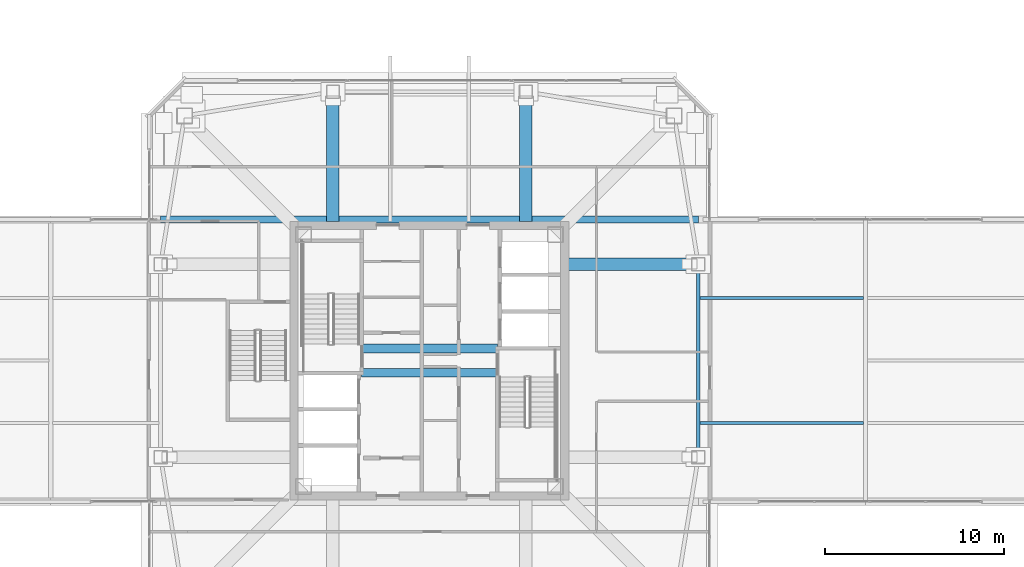
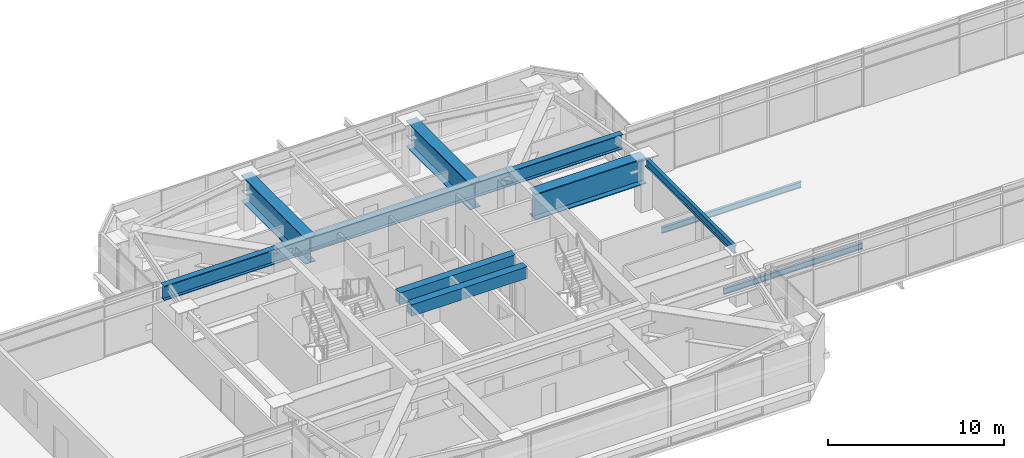
# One storey, part 14 of 51: 9 beams.
"""IFC4 building model written with IfcOpenShell, lengths in metres."""

import ifcopenshell
import ifcopenshell.guid

model = None  # the IFC model being written
_history = None  # IfcOwnerHistory: only IFC2X3 demands one
_inside = {}  # id of a spatial element -> (the spatial element, [elements in it])
_under = {}  # id of a project, library or spatial element -> (it, [spatial elements below it])
_declared = {}  # id of a project -> (the project, [libraries it declares])
_typed = {}  # id of a type object -> (the type object, [elements of that type])
_made_of = {}  # id of a material, layer set ... -> (it, [elements and type objects made of it])


def new_model(schema):
    """Start an empty IFC model of exactly this schema.

    Asked for "IFC4X3", IfcOpenShell would pick the latest addendum, in which some entities
    have other attributes; the version numbers below select the first issue.
    IFC2X3 requires an IfcOwnerHistory on every rooted entity: one is made here for all.
    """
    global model, _history
    if schema == "IFC4X3":
        model = ifcopenshell.file(schema_version=(4, 3, 0, 0))
    else:
        model = ifcopenshell.file(schema=schema)
    _inside.clear()
    _under.clear()
    _declared.clear()
    _typed.clear()
    _made_of.clear()
    _history = None
    if model.schema == "IFC2X3":
        org = make("IfcOrganization", Name="unknown")
        user = make(
            "IfcPersonAndOrganization",
            ThePerson=make("IfcPerson", FamilyName="unknown"),
            TheOrganization=org,
        )
        app = make(
            "IfcApplication",
            ApplicationDeveloper=org,
            Version="unknown",
            ApplicationFullName="unknown",
            ApplicationIdentifier="unknown",
        )
        _history = make(
            "IfcOwnerHistory",
            OwningUser=user,
            OwningApplication=app,
            ChangeAction="ADDED",
            CreationDate=0,
        )
    return model


def make(cls, **values):
    """One entity of the class cls with the attributes given. An attribute that is None is left unset."""
    return model.create_entity(
        cls, **{name: value for name, value in values.items() if value is not None}
    )


def rooted(cls, **values):
    """An entity with a GlobalId (a new one), such as an element, a storey or a relation."""
    return make(cls, GlobalId=ifcopenshell.guid.new(), OwnerHistory=_history, **values)


def si_unit(unit_type, name, prefix=None):
    """IfcSIUnit, for example si_unit("LENGTHUNIT", "METRE", prefix="MILLI")."""
    return make("IfcSIUnit", UnitType=unit_type, Prefix=prefix, Name=name)


def assignment(units):
    """IfcUnitAssignment: the units of a project."""
    return None if units is None else make("IfcUnitAssignment", Units=units)


def point(xyz):
    """IfcCartesianPoint."""
    return None if xyz is None else make("IfcCartesianPoint", Coordinates=xyz)


def direction(xyz):
    """IfcDirection."""
    return None if xyz is None else make("IfcDirection", DirectionRatios=xyz)


def frame(location, z_axis=None, x_axis=None):
    """IfcAxis2Placement3D, a coordinate frame: its origin and axes. An axis left out is left unset."""
    return make(
        "IfcAxis2Placement3D",
        Location=point(location),
        Axis=direction(z_axis),
        RefDirection=direction(x_axis),
    )


def frame_2d(location, x_axis=None):
    """IfcAxis2Placement2D, a coordinate frame in the plane: its origin and x axis."""
    return make(
        "IfcAxis2Placement2D", Location=point(location), RefDirection=direction(x_axis)
    )


def origin():
    """The frame at (0, 0, 0) with its axes left unset."""
    return frame((0.0, 0.0, 0.0))


def origin_2d():
    """The frame at (0, 0) in the plane with its x axis left unset."""
    return frame_2d((0.0, 0.0))


def place(relative_to, where):
    """IfcLocalPlacement: puts the frame where relative to a parent placement (None: the world)."""
    return make(
        "IfcLocalPlacement", PlacementRelTo=relative_to, RelativePlacement=where
    )


def context(
    kind, dimensions, precision=None, world=None, true_north=None, identifier=None
):
    """IfcGeometricRepresentationContext, for example the 3D "Model" context."""
    return make(
        "IfcGeometricRepresentationContext",
        ContextIdentifier=identifier,
        ContextType=kind,
        CoordinateSpaceDimension=dimensions,
        Precision=precision,
        WorldCoordinateSystem=world,
        TrueNorth=true_north,
    )


def subcontext(parent, identifier, kind, view, scale=None):
    """IfcGeometricRepresentationSubContext, for example "Body" below "Model"."""
    return make(
        "IfcGeometricRepresentationSubContext",
        ContextIdentifier=identifier,
        ContextType=kind,
        ParentContext=parent,
        TargetScale=scale,
        TargetView=view,
    )


def project(units=None, contexts=None):
    """IfcProject with its units and contexts."""
    return rooted(
        "IfcProject",
        Name="project",
        RepresentationContexts=contexts,
        UnitsInContext=assignment(units),
    )


def spatial(cls, under=None, at=None, **own):
    """A site, building, storey or space (cls), placed at a placement, below another one or the project."""
    s = rooted(cls, ObjectPlacement=at, **own)
    if under is not None:
        _under.setdefault(under.id(), (under, []))[1].append(s)
    return s


def profile(cls, at=None, kind="AREA", **sizes):
    """A parametric profile (cls). Its sizes go by their IFC names, for example OverallWidth=200.0."""
    return make(cls, ProfileType=kind, Position=at, **sizes)


def rectangle(**sizes):
    """IfcRectangleProfileDef."""
    return profile("IfcRectangleProfileDef", **sizes)


def i_section(**sizes):
    """IfcIShapeProfileDef."""
    return profile("IfcIShapeProfileDef", **sizes)


def extrude(swept, where, along, depth):
    """IfcExtrudedAreaSolid: the profile swept, set in the frame where, extruded along a direction by depth."""
    return make(
        "IfcExtrudedAreaSolid",
        SweptArea=swept,
        Position=where,
        ExtrudedDirection=direction(along),
        Depth=depth,
    )


def shape(context_of_items, identifier, shape_type, items):
    """IfcShapeRepresentation: the items that make up one representation, for example the "Body"."""
    return make(
        "IfcShapeRepresentation",
        ContextOfItems=context_of_items,
        RepresentationIdentifier=identifier,
        RepresentationType=shape_type,
        Items=items,
    )


def material(Name=None, Category=None):
    """IfcMaterial."""
    return make("IfcMaterial", Name=Name, Category=Category)


def material_profile(
    of_material, cross_section, Name=None, Category=None, Priority=None
):
    """IfcMaterialProfile: a cross section and its material."""
    return make(
        "IfcMaterialProfile",
        Name=Name,
        Material=of_material,
        Profile=cross_section,
        Priority=Priority,
        Category=Category,
    )


def profile_set(profiles, Name=None, composite=None):
    """IfcMaterialProfileSet."""
    return make(
        "IfcMaterialProfileSet",
        Name=Name,
        MaterialProfiles=profiles,
        CompositeProfile=composite,
    )


def made_of(thing, what):
    """Note that an element or type object is made of a material, layer set ...; save() writes the relation."""
    if what is not None:
        _made_of.setdefault(what.id(), (what, []))[1].append(thing)
    return thing


def type_object(cls, material=None, **own):
    """A type object (cls), such as IfcWallType, which elements share."""
    return made_of(rooted(cls, **own), material)


def element(
    cls,
    number,
    at=None,
    inside=None,
    cuts=None,
    type_object=None,
    material=None,
    context=None,
    identifier="Body",
    shape_type=None,
    held_by="IfcProductDefinitionShape",
    body=None,
    shapes=None,
    **own,
):
    """One element of the class cls, such as IfcWall. Its Tag is "e" and its number.

    at: its placement. inside: the storey or other place that contains it. cuts: it is an
    opening in that element (IfcRelVoidsElement). A single representation is given by context,
    identifier, shape_type and body (its items); several are given by shapes. held_by: the class
    of the entity that holds the representations. save() writes the other relations.
    """
    e = rooted(cls, Tag="e%d" % number, ObjectPlacement=at, **own)
    if body is not None:
        shapes = [shape(context, identifier, shape_type, body)]
    if shapes is not None:
        e.Representation = make(held_by, Representations=shapes)
    if inside is not None:
        _inside.setdefault(inside.id(), (inside, []))[1].append(e)
    if cuts is not None:
        rooted(
            "IfcRelVoidsElement", RelatingBuildingElement=cuts, RelatedOpeningElement=e
        )
    if type_object is not None:
        _typed.setdefault(type_object.id(), (type_object, []))[1].append(e)
    return made_of(e, material)


def aggregate(whole, parts):
    """IfcRelAggregates: a whole, such as a stair, and the parts it consists of."""
    return rooted("IfcRelAggregates", RelatingObject=whole, RelatedObjects=parts)


def save(model, path):
    """Write the relations noted so far, then the file.

    IfcRelAggregates (storeys below a building ...), IfcRelContainedInSpatialStructure (elements
    in a storey), IfcRelDefinesByType, IfcRelAssociatesMaterial and IfcRelDeclares: one each for
    every whole, place, type object, material and project.
    """
    for whole, parts in _under.values():
        aggregate(whole, parts)
    for where, things in _inside.values():
        rooted(
            "IfcRelContainedInSpatialStructure",
            RelatedElements=things,
            RelatingStructure=where,
        )
    for kind, things in _typed.values():
        rooted("IfcRelDefinesByType", RelatedObjects=things, RelatingType=kind)
    for what, things in _made_of.values():
        rooted("IfcRelAssociatesMaterial", RelatedObjects=things, RelatingMaterial=what)
    for by, libraries in _declared.values():
        rooted("IfcRelDeclares", RelatingContext=by, RelatedDefinitions=libraries)
    model.write(path)


model = new_model("IFC4")

# Units and contexts
model_context = context("Model", 3, precision=1e-05, world=origin(), true_north=direction((0.0, 1.0)))
body_context = subcontext(model_context, "Body", "Model", "MODEL_VIEW")
ifc_project = project(units=[si_unit("LENGTHUNIT", "METRE"), si_unit("AREAUNIT", "SQUARE_METRE"), si_unit("VOLUMEUNIT", "CUBIC_METRE"), si_unit("PLANEANGLEUNIT", "RADIAN"), si_unit("MASSUNIT", "GRAM", prefix="KILO")], contexts=[model_context])

# Site, building, storey
site_placement = place(None, origin())
site = spatial("IfcSite", under=ifc_project, at=site_placement, CompositionType="ELEMENT")
building_placement = place(site_placement, origin())
building = spatial("IfcBuilding", under=site, at=building_placement, Name="Tashvorn Skyway Center", CompositionType="ELEMENT")
storey_placement = place(building_placement, frame((0.0, 0.0, 259.39990234375)))
storey = spatial("IfcBuildingStorey", under=building, at=storey_placement, Name="L70", CompositionType="ELEMENT", Elevation=259.39990234375)

# Beams
ifc_material_1 = material(Name="Steel ASTM A572 Grade 50", Category="steel")
ifc_material_profile_1 = material_profile(ifc_material_1, i_section(OverallWidth=0.699951171875, OverallDepth=1.800048828125, WebThickness=0.031982421875, FlangeThickness=0.050048828125, at=origin_2d()), Name="PG1800x700")
ifc_profile_set_1 = profile_set([ifc_material_profile_1], Name="Steel ASTM A572 Grade 50")
beam_type_1 = type_object("IfcBeamType", Name="BM-BEAM-PG1800x700", PredefinedType="BEAM", material=ifc_profile_set_1)
for number, where, z_axis, x_axis, name in (
    (1, (57.050048828125, 37.39990234375, 2.800048828125), (-1.0, 0.0, 0.0), (0.0, -1.0, 0.0), "Tower 1 L70 Setback Transfer Girder FC-E2"),
    (2, (47.39990234375, 47.050048828125, 2.800048828125), (0.0, -1.0, 0.0), (1.0, 0.0, 0.0), "Tower 1 L70 Setback Transfer Girder FC-N1"),
    (3, (36.60009765625, 47.050048828125, 2.800048828125), (0.0, -1.0, 0.0), (1.0, 0.0, 0.0), "Tower 1 L70 Setback Transfer Girder FC-N2"),
):
    element("IfcBeam", number, at=place(storey_placement, frame(where, z_axis=z_axis, x_axis=x_axis)), inside=storey, type_object=beam_type_1, Name=name, PredefinedType="BEAM", context=body_context, shape_type="SweptSolid", body=[
        extrude(i_section(OverallWidth=0.699951171875, OverallDepth=1.800048828125, WebThickness=0.031982421875, FlangeThickness=0.050048828125, at=origin_2d()), origin(), (0.0, 0.0, 1.0), 7.27001953125),
    ])
ifc_material_2 = material(Name="Steel ASTM A913 Grade 65", Category="steel")
ifc_material_profile_2 = material_profile(ifc_material_2, i_section(OverallWidth=0.40087890625, OverallDepth=1.010986328125, WebThickness=0.023681640625, FlangeThickness=0.0419921875, at=origin_2d()), Name="W40X297")
ifc_profile_set_2 = profile_set([ifc_material_profile_2], Name="Steel ASTM A913 Grade 65")
beam_type_2 = type_object("IfcBeamType", Name="BM-BEAM-W40X297", PredefinedType="BEAM", material=ifc_profile_set_2)
beam_1_placement = place(storey_placement, frame((26.949951171875, 39.89990234375, 3.194580078125), z_axis=(1.0, 0.0, 0.0), x_axis=(0.0, 1.0, 0.0)))
element("IfcBeam", 4, at=beam_1_placement, inside=storey, type_object=beam_type_2, Name="Sky-Park Truss 2 Top Chord Panel 05", PredefinedType="BEAM", context=body_context, shape_type="SweptSolid", body=[
    extrude(i_section(OverallWidth=0.40087890625, OverallDepth=1.010986328125, WebThickness=0.023681640625, FlangeThickness=0.0419921875, at=origin_2d()), origin(), (0.0, 0.0, 1.0), 30.10009765625),
])
ifc_material_3 = material(Name="Steel ASTM A992 Grade 50", Category="steel")
ifc_material_profile_3 = material_profile(ifc_material_3, i_section(OverallWidth=0.177978515625, OverallDepth=0.406005859375, WebThickness=0.0078125, FlangeThickness=0.0126953125, at=origin_2d()), Name="W16X40")
ifc_profile_set_3 = profile_set([ifc_material_profile_3], Name="Steel ASTM A992 Grade 50")
beam_type_3 = type_object("IfcBeamType", Name="BM-JOIST-W16X40", PredefinedType="JOIST", material=ifc_profile_set_3)
for number, where, z_axis, x_axis, name in (
    (5, (57.1494140625, 28.5, -0.4228515625), (1.0, 0.0, 0.0), (0.0, 1.0, 0.0), "Sky-Park L70 Longitudinal Joist 06-1"),
    (6, (57.1494140625, 35.5, -0.4228515625), (1.0, 0.0, 0.0), (0.0, 1.0, 0.0), "Sky-Park L70 Longitudinal Joist 06-3"),
):
    element("IfcBeam", number, at=place(storey_placement, frame(where, z_axis=z_axis, x_axis=x_axis)), inside=storey, type_object=beam_type_3, Name=name, PredefinedType="JOIST", context=body_context, shape_type="SweptSolid", body=[
        extrude(i_section(OverallWidth=0.177978515625, OverallDepth=0.406005859375, WebThickness=0.0078125, FlangeThickness=0.0126953125, at=origin_2d()), origin(), (0.0, 0.0, 1.0), 9.1435546875),
    ])
ifc_material_4 = material(Name="Concrete C50/60", Category="concrete")
ifc_material_profile_4 = material_profile(ifc_material_4, rectangle(XDim=0.5, YDim=0.800048828125, at=origin_2d()), Name="RCB500x800")
ifc_profile_set_4 = profile_set([ifc_material_profile_4], Name="Concrete C50/60")
beam_type_4 = type_object("IfcBeamType", Name="BM-LINTEL-RCB500x800", PredefinedType="LINTEL", material=ifc_profile_set_4)
for number, where, z_axis, x_axis, name in (
    (7, (38.199951171875, 32.679931640625, 3.300048828125), (1.0, 0.0, 0.0), (0.0, 1.0, 0.0), "Tower 1 L70 Core Coupling Beam CN"),
    (8, (38.199951171875, 31.320068359375, 3.300048828125), (1.0, 0.0, 0.0), (0.0, 1.0, 0.0), "Tower 1 L70 Core Coupling Beam CS"),
):
    element("IfcBeam", number, at=place(storey_placement, frame(where, z_axis=z_axis, x_axis=x_axis)), inside=storey, type_object=beam_type_4, Name=name, PredefinedType="LINTEL", context=body_context, shape_type="SweptSolid", body=[
        extrude(rectangle(XDim=0.5, YDim=0.800048828125, at=origin_2d()), origin(), (0.0, 0.0, 1.0), 7.60009765625),
    ])
ifc_material_profile_5 = material_profile(ifc_material_3, i_section(OverallWidth=0.2109375, OverallDepth=0.5390625, WebThickness=0.01171875, FlangeThickness=0.018798828125, at=origin_2d()), Name="W21X73")
ifc_profile_set_5 = profile_set([ifc_material_profile_5], Name="Steel ASTM A992 Grade 50")
beam_type_5 = type_object("IfcBeamType", Name="BM-SPANDREL-W21X73", PredefinedType="SPANDREL", material=ifc_profile_set_5)
beam_2_placement = place(storey_placement, frame((57.050048828125, 26.969970703125, 3.4306640625), z_axis=(0.0, 1.0, 0.0), x_axis=(-1.0, 0.0, 0.0)))
element("IfcBeam", 9, at=beam_2_placement, inside=storey, type_object=beam_type_5, Name="Tower 1 L70 Spandrel Beam 05", PredefinedType="SPANDREL", context=body_context, shape_type="SweptSolid", body=[
    extrude(i_section(OverallWidth=0.2109375, OverallDepth=0.5390625, WebThickness=0.01171875, FlangeThickness=0.018798828125, at=origin_2d()), origin(), (0.0, 0.0, 1.0), 10.06005859375),
])

save(model, "model.ifc")
